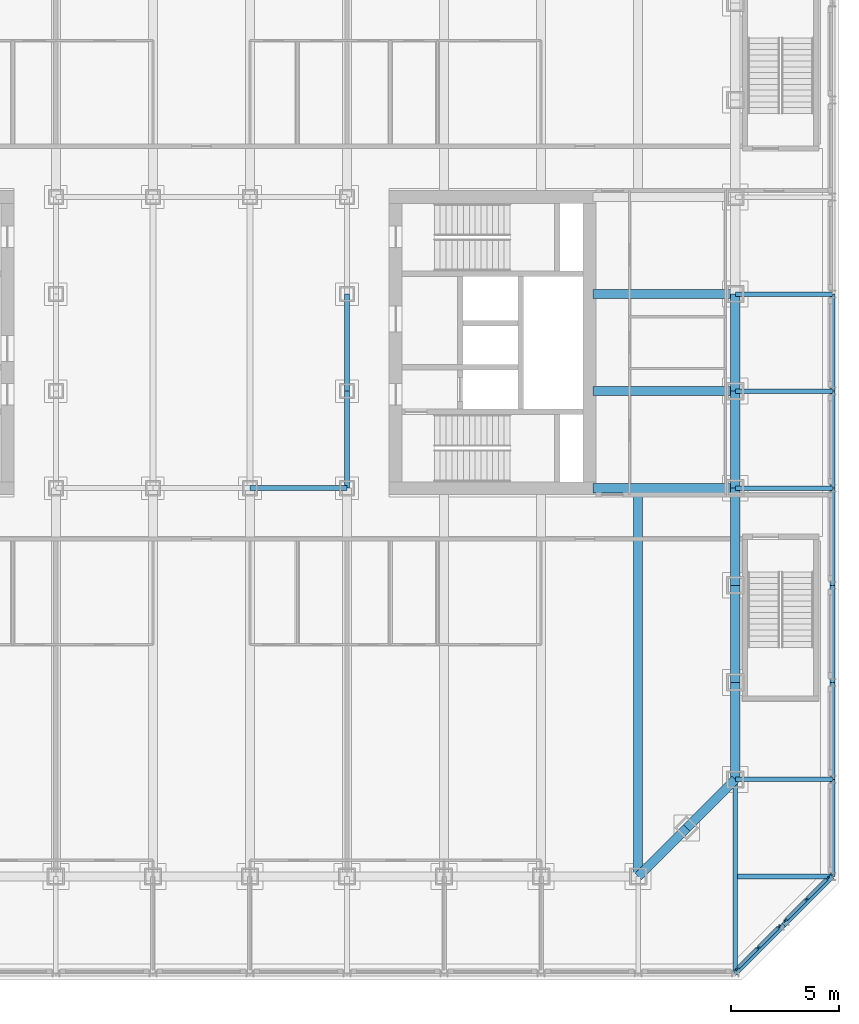
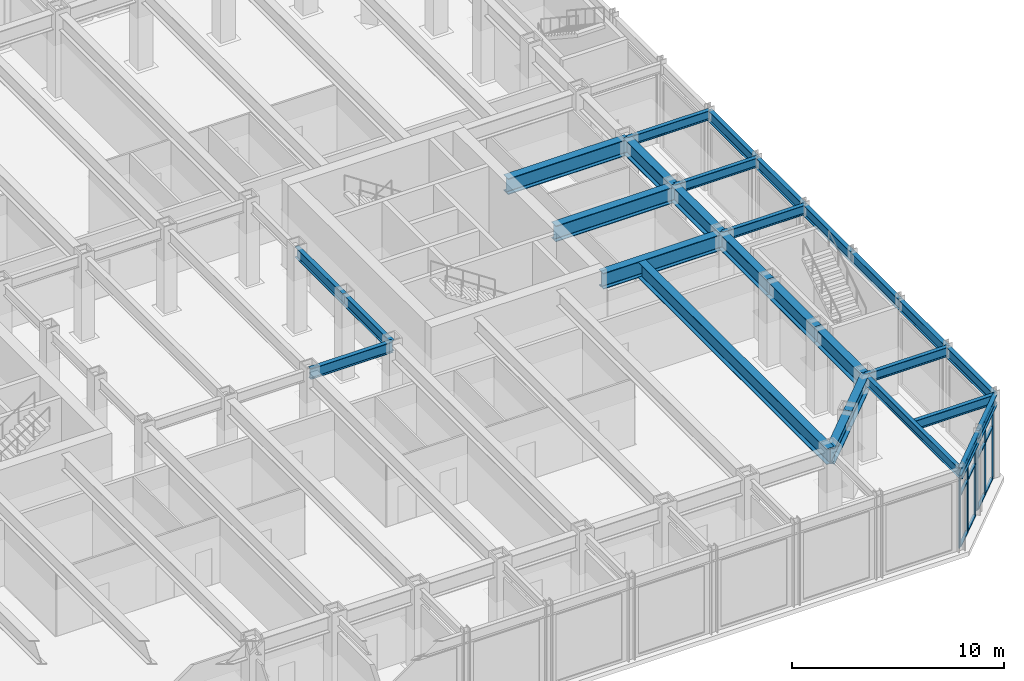
# One storey, part 6 of 19: 28 beams, 18 members, 2 elements without a shape of their own.
"""IFC4 building model written with IfcOpenShell, lengths in metres."""

from ifc_helpers import new_model, si_unit, direction, frame, origin, origin_2d, place, context, subcontext, project, spatial, rectangle, i_section, extrude, material, material_profile, profile_set, type_object, element, aggregate, save


model = new_model("IFC4")

# Units and contexts
model_context = context("Model", 3, precision=1e-05, world=origin(), true_north=direction((0.0, 1.0)))
body_context = subcontext(model_context, "Body", "Model", "MODEL_VIEW")
ifc_project = project(units=[si_unit("LENGTHUNIT", "METRE"), si_unit("AREAUNIT", "SQUARE_METRE"), si_unit("VOLUMEUNIT", "CUBIC_METRE"), si_unit("PLANEANGLEUNIT", "RADIAN"), si_unit("MASSUNIT", "GRAM", prefix="KILO")], contexts=[model_context])

# Site, building, storey
site_placement = place(None, origin())
site = spatial("IfcSite", under=ifc_project, at=site_placement, CompositionType="ELEMENT")
building_placement = place(site_placement, origin())
building = spatial("IfcBuilding", under=site, at=building_placement, Name="Msasa Ring Tower", CompositionType="ELEMENT")
storey_placement = place(building_placement, frame((0.0, 0.0, 6.0)))
storey = spatial("IfcBuildingStorey", under=building, at=storey_placement, Name="L01", CompositionType="ELEMENT", Elevation=6.0)

# Curtain wall, members
ifc_material_1 = material(Name="Aluminium curtain wall with clear glass", Category="aluminium")
curtain_wall_type = type_object("IfcCurtainWallType", Name="CW-K PODIUM CORNER CURTAIN WALL", PredefinedType="NOTDEFINED", material=ifc_material_1)
curtain_wall_1_placement = place(storey_placement, origin())
curtain_wall_1 = element("IfcCurtainWall", 1, at=curtain_wall_1_placement, inside=storey, type_object=curtain_wall_type, Name="Podium corner curtain wall SE L01", PredefinedType="NOTDEFINED")
ifc_material_2 = material(Name="Aluminium mullion", Category="aluminium")
ifc_material_profile_1 = material_profile(ifc_material_2, rectangle(XDim=0.070068359375, YDim=0.199951171875, at=origin_2d()), Name="AL 70x200")
ifc_profile_set_1 = profile_set([ifc_material_profile_1], Name="Aluminium mullion")
member_type_1 = type_object("IfcMemberType", Name="CW-K MULLION 70x200", PredefinedType="MULLION", material=ifc_profile_set_1)
member_1_placement = place(storey_placement, frame((24.836669921875, -29.02197265625, 0.0), z_axis=(0.0, 0.0, 1.0), x_axis=(-0.707106781187, 0.707106781187, 0.0)))
member_1 = element("IfcMember", 2, at=member_1_placement, type_object=member_type_1, Name="CW-K mullion 1", PredefinedType="MULLION", context=body_context, shape_type="SweptSolid", body=[
    extrude(rectangle(XDim=0.070068359375, YDim=0.199951171875, at=origin_2d()), origin(), (0.0, 0.0, 1.0), 4.1328125),
])
member_2_placement = place(storey_placement, frame((25.80419921875, -28.05419921875, 0.0), z_axis=(0.0, 0.0, 1.0), x_axis=(-0.707106781187, 0.707106781187, 0.0)))
member_2 = element("IfcMember", 3, at=member_2_placement, type_object=member_type_1, Name="CW-K mullion 2", PredefinedType="MULLION", context=body_context, shape_type="SweptSolid", body=[
    extrude(rectangle(XDim=0.070068359375, YDim=0.199951171875, at=origin_2d()), origin(), (0.0, 0.0, 1.0), 4.1328125),
])
member_3_placement = place(storey_placement, frame((26.77197265625, -27.086669921875, 0.0), z_axis=(0.0, 0.0, 1.0), x_axis=(-0.707106781187, 0.707106781187, 0.0)))
member_3 = element("IfcMember", 4, at=member_3_placement, type_object=member_type_1, Name="CW-K mullion 3", PredefinedType="MULLION", context=body_context, shape_type="SweptSolid", body=[
    extrude(rectangle(XDim=0.070068359375, YDim=0.199951171875, at=origin_2d()), origin(), (0.0, 0.0, 1.0), 4.1328125),
])

curtain_wall_2_placement = place(storey_placement, origin())
curtain_wall_2 = element("IfcCurtainWall", 5, at=curtain_wall_2_placement, inside=storey, type_object=curtain_wall_type, Name="Podium corner curtain wall SE L01", PredefinedType="NOTDEFINED")
member_4_placement = place(storey_placement, frame((27.086669921875, -26.77197265625, 0.0), z_axis=(0.0, 0.0, 1.0), x_axis=(-0.707106781187, 0.707106781187, 0.0)))
member_4 = element("IfcMember", 6, at=member_4_placement, type_object=member_type_1, Name="CW-K mullion 1", PredefinedType="MULLION", context=body_context, shape_type="SweptSolid", body=[
    extrude(rectangle(XDim=0.070068359375, YDim=0.199951171875, at=origin_2d()), origin(), (0.0, 0.0, 1.0), 4.1328125),
])
member_5_placement = place(storey_placement, frame((28.05419921875, -25.80419921875, 0.0), z_axis=(0.0, 0.0, 1.0), x_axis=(-0.707106781187, 0.707106781187, 0.0)))
member_5 = element("IfcMember", 7, at=member_5_placement, type_object=member_type_1, Name="CW-K mullion 2", PredefinedType="MULLION", context=body_context, shape_type="SweptSolid", body=[
    extrude(rectangle(XDim=0.070068359375, YDim=0.199951171875, at=origin_2d()), origin(), (0.0, 0.0, 1.0), 4.1328125),
])
member_6_placement = place(storey_placement, frame((29.02197265625, -24.836669921875, 0.0), z_axis=(0.0, 0.0, 1.0), x_axis=(-0.707106781187, 0.707106781187, 0.0)))
member_6 = element("IfcMember", 8, at=member_6_placement, type_object=member_type_1, Name="CW-K mullion 3", PredefinedType="MULLION", context=body_context, shape_type="SweptSolid", body=[
    extrude(rectangle(XDim=0.070068359375, YDim=0.199951171875, at=origin_2d()), origin(), (0.0, 0.0, 1.0), 4.1328125),
])

# Member
ifc_material_3 = material(Name="Aluminium transom", Category="aluminium")
ifc_material_profile_2 = material_profile(ifc_material_3, rectangle(XDim=0.14990234375, YDim=0.070068359375, at=origin_2d()), Name="AL 70x150")
ifc_profile_set_2 = profile_set([ifc_material_profile_2], Name="Aluminium transom")
member_type_2 = type_object("IfcMemberType", Name="CW-K TRANSOM 70x150", PredefinedType="USERDEFINED", material=ifc_profile_set_2)
member_7_placement = place(storey_placement, frame((24.861572265625, -28.9970703125, 0.034912109375), z_axis=(0.707106781187, 0.707106781187, 0.0), x_axis=(-0.707106781187, 0.707106781187, 0.0)))
member_7 = element("IfcMember", 9, at=member_7_placement, type_object=member_type_2, Name="CW-K transom 1.1", ObjectType="TRANSOM", PredefinedType="USERDEFINED", context=body_context, shape_type="SweptSolid", body=[
    extrude(rectangle(XDim=0.14990234375, YDim=0.070068359375, at=origin_2d()), origin(), (0.0, 0.0, 1.0), 1.298095703125),
])

member_8_placement = place(storey_placement, frame((24.861572265625, -28.9970703125, 3.0), z_axis=(0.707106781187, 0.707106781187, 0.0), x_axis=(-0.707106781187, 0.707106781187, 0.0)))
member_8 = element("IfcMember", 10, at=member_8_placement, type_object=member_type_2, Name="CW-K transom 1.2", ObjectType="TRANSOM", PredefinedType="USERDEFINED", context=body_context, shape_type="SweptSolid", body=[
    extrude(rectangle(XDim=0.14990234375, YDim=0.070068359375, at=origin_2d()), origin(), (0.0, 0.0, 1.0), 1.298095703125),
])

member_9_placement = place(storey_placement, frame((24.861572265625, -28.9970703125, 4.097900390625), z_axis=(0.707106781187, 0.707106781187, 0.0), x_axis=(-0.707106781187, 0.707106781187, 0.0)))
member_9 = element("IfcMember", 11, at=member_9_placement, type_object=member_type_2, Name="CW-K transom 1.3", ObjectType="TRANSOM", PredefinedType="USERDEFINED", context=body_context, shape_type="SweptSolid", body=[
    extrude(rectangle(XDim=0.14990234375, YDim=0.070068359375, at=origin_2d()), origin(), (0.0, 0.0, 1.0), 1.298095703125),
])

member_10_placement = place(storey_placement, frame((25.8291015625, -28.029541015625, 0.034912109375), z_axis=(0.707106781187, 0.707106781187, 0.0), x_axis=(-0.707106781187, 0.707106781187, 0.0)))
member_10 = element("IfcMember", 12, at=member_10_placement, type_object=member_type_2, Name="CW-K transom 2.1", ObjectType="TRANSOM", PredefinedType="USERDEFINED", context=body_context, shape_type="SweptSolid", body=[
    extrude(rectangle(XDim=0.14990234375, YDim=0.070068359375, at=origin_2d()), origin(), (0.0, 0.0, 1.0), 1.298095703125),
])

member_11_placement = place(storey_placement, frame((25.8291015625, -28.029541015625, 3.0), z_axis=(0.707106781187, 0.707106781187, 0.0), x_axis=(-0.707106781187, 0.707106781187, 0.0)))
member_11 = element("IfcMember", 13, at=member_11_placement, type_object=member_type_2, Name="CW-K transom 2.2", ObjectType="TRANSOM", PredefinedType="USERDEFINED", context=body_context, shape_type="SweptSolid", body=[
    extrude(rectangle(XDim=0.14990234375, YDim=0.070068359375, at=origin_2d()), origin(), (0.0, 0.0, 1.0), 1.298095703125),
])

member_12_placement = place(storey_placement, frame((25.8291015625, -28.029541015625, 4.097900390625), z_axis=(0.707106781187, 0.707106781187, 0.0), x_axis=(-0.707106781187, 0.707106781187, 0.0)))
member_12 = element("IfcMember", 14, at=member_12_placement, type_object=member_type_2, Name="CW-K transom 2.3", ObjectType="TRANSOM", PredefinedType="USERDEFINED", context=body_context, shape_type="SweptSolid", body=[
    extrude(rectangle(XDim=0.14990234375, YDim=0.070068359375, at=origin_2d()), origin(), (0.0, 0.0, 1.0), 1.298095703125),
])

aggregate(curtain_wall_1, [member_1, member_2, member_3, member_7, member_8, member_9, member_10, member_11, member_12])

member_13_placement = place(storey_placement, frame((27.111572265625, -26.7470703125, 0.034912109375), z_axis=(0.707106781187, 0.707106781187, 0.0), x_axis=(-0.707106781187, 0.707106781187, 0.0)))
member_13 = element("IfcMember", 15, at=member_13_placement, type_object=member_type_2, Name="CW-K transom 1.1", ObjectType="TRANSOM", PredefinedType="USERDEFINED", context=body_context, shape_type="SweptSolid", body=[
    extrude(rectangle(XDim=0.14990234375, YDim=0.070068359375, at=origin_2d()), origin(), (0.0, 0.0, 1.0), 1.298095703125),
])

member_14_placement = place(storey_placement, frame((27.111572265625, -26.7470703125, 3.0), z_axis=(0.707106781187, 0.707106781187, 0.0), x_axis=(-0.707106781187, 0.707106781187, 0.0)))
member_14 = element("IfcMember", 16, at=member_14_placement, type_object=member_type_2, Name="CW-K transom 1.2", ObjectType="TRANSOM", PredefinedType="USERDEFINED", context=body_context, shape_type="SweptSolid", body=[
    extrude(rectangle(XDim=0.14990234375, YDim=0.070068359375, at=origin_2d()), origin(), (0.0, 0.0, 1.0), 1.298095703125),
])

member_15_placement = place(storey_placement, frame((27.111572265625, -26.7470703125, 4.097900390625), z_axis=(0.707106781187, 0.707106781187, 0.0), x_axis=(-0.707106781187, 0.707106781187, 0.0)))
member_15 = element("IfcMember", 17, at=member_15_placement, type_object=member_type_2, Name="CW-K transom 1.3", ObjectType="TRANSOM", PredefinedType="USERDEFINED", context=body_context, shape_type="SweptSolid", body=[
    extrude(rectangle(XDim=0.14990234375, YDim=0.070068359375, at=origin_2d()), origin(), (0.0, 0.0, 1.0), 1.298095703125),
])

member_16_placement = place(storey_placement, frame((28.0791015625, -25.779541015625, 0.034912109375), z_axis=(0.707106781187, 0.707106781187, 0.0), x_axis=(-0.707106781187, 0.707106781187, 0.0)))
member_16 = element("IfcMember", 18, at=member_16_placement, type_object=member_type_2, Name="CW-K transom 2.1", ObjectType="TRANSOM", PredefinedType="USERDEFINED", context=body_context, shape_type="SweptSolid", body=[
    extrude(rectangle(XDim=0.14990234375, YDim=0.070068359375, at=origin_2d()), origin(), (0.0, 0.0, 1.0), 1.298095703125),
])

member_17_placement = place(storey_placement, frame((28.0791015625, -25.779541015625, 3.0), z_axis=(0.707106781187, 0.707106781187, 0.0), x_axis=(-0.707106781187, 0.707106781187, 0.0)))
member_17 = element("IfcMember", 19, at=member_17_placement, type_object=member_type_2, Name="CW-K transom 2.2", ObjectType="TRANSOM", PredefinedType="USERDEFINED", context=body_context, shape_type="SweptSolid", body=[
    extrude(rectangle(XDim=0.14990234375, YDim=0.070068359375, at=origin_2d()), origin(), (0.0, 0.0, 1.0), 1.298095703125),
])

member_18_placement = place(storey_placement, frame((28.0791015625, -25.779541015625, 4.097900390625), z_axis=(0.707106781187, 0.707106781187, 0.0), x_axis=(-0.707106781187, 0.707106781187, 0.0)))
member_18 = element("IfcMember", 20, at=member_18_placement, type_object=member_type_2, Name="CW-K transom 2.3", ObjectType="TRANSOM", PredefinedType="USERDEFINED", context=body_context, shape_type="SweptSolid", body=[
    extrude(rectangle(XDim=0.14990234375, YDim=0.070068359375, at=origin_2d()), origin(), (0.0, 0.0, 1.0), 1.298095703125),
])

aggregate(curtain_wall_2, [member_4, member_5, member_6, member_13, member_14, member_15, member_16, member_17, member_18])

# Beams
ifc_material_4 = material(Name="Steel S355", Category="steel")
ifc_material_profile_3 = material_profile(ifc_material_4, i_section(OverallWidth=0.41845703125, OverallDepth=0.911865234375, WebThickness=0.019287109375, FlangeThickness=0.031982421875, FilletRadius=0.024169921875, at=origin_2d()), Name="UB 914x419x343")
ifc_profile_set_3 = profile_set([ifc_material_profile_3], Name="Steel S355")
beam_type_1 = type_object("IfcBeamType", Name="FB1 UB 914x419x343", PredefinedType="BEAM", material=ifc_profile_set_3)
beam_1_placement = place(storey_placement, frame((20.25, -24.75, 4.294189453125), z_axis=(0.0, 1.0, 0.0), x_axis=(-1.0, 0.0, 0.0)))
element("IfcBeam", 21, at=beam_1_placement, inside=storey, type_object=beam_type_1, Name="Floor beam S+20.25 under L02", PredefinedType="BEAM", context=body_context, shape_type="SweptSolid", body=[
    extrude(i_section(OverallWidth=0.41845703125, OverallDepth=0.911865234375, WebThickness=0.019287109375, FlangeThickness=0.031982421875, FilletRadius=0.024169921875, at=origin_2d()), origin(), (0.0, 0.0, 1.0), 17.789794921875),
])
ifc_material_5 = material(Name="Steel S355", Category="steel")
ifc_material_profile_4 = material_profile(ifc_material_5, i_section(OverallWidth=0.42041015625, OverallDepth=0.9208984375, WebThickness=0.021484375, FlangeThickness=0.03662109375, FilletRadius=0.024169921875, at=origin_2d()), Name="UB 914x419x388")
ifc_profile_set_4 = profile_set([ifc_material_profile_4], Name="Steel S355")
beam_type_2 = type_object("IfcBeamType", Name="FB2 UB 914x419x388", PredefinedType="BEAM", material=ifc_profile_set_4)
for number, where, z_axis, x_axis, name in (
    (22, (24.75, -2.25, 4.28955078125), (-1.0, 0.0, 0.0), (0.0, -1.0, 0.0), "Floor beam E -2.25 under L02"),
    (23, (24.75, 2.25, 4.28955078125), (-1.0, 0.0, 0.0), (0.0, -1.0, 0.0), "Floor beam E +2.25 under L02"),
):
    element("IfcBeam", number, at=place(storey_placement, frame(where, z_axis=z_axis, x_axis=x_axis)), inside=storey, type_object=beam_type_2, Name=name, PredefinedType="BEAM", context=body_context, shape_type="SweptSolid", body=[
        extrude(i_section(OverallWidth=0.42041015625, OverallDepth=0.9208984375, WebThickness=0.021484375, FlangeThickness=0.03662109375, FilletRadius=0.024169921875, at=origin_2d()), origin(), (0.0, 0.0, 1.0), 6.60009765625),
    ])
ifc_material_6 = material(Name="Steel S355", Category="steel")
ifc_material_profile_5 = material_profile(ifc_material_6, i_section(OverallWidth=0.42041015625, OverallDepth=0.9208984375, WebThickness=0.021484375, FlangeThickness=0.03662109375, FilletRadius=0.024169921875, at=origin_2d()), Name="UB 914x419x388")
ifc_profile_set_5 = profile_set([ifc_material_profile_5], Name="Steel S355")
beam_type_3 = type_object("IfcBeamType", Name="GB1 UB 914x419x388", PredefinedType="BEAM", material=ifc_profile_set_5)
beam_2_placement = place(storey_placement, frame((18.14990234375, -6.75, 4.28955078125), z_axis=(1.0, 0.0, 0.0), x_axis=(0.0, 1.0, 0.0)))
element("IfcBeam", 24, at=beam_2_placement, inside=storey, type_object=beam_type_3, Name="Girder E -6.75 under L02", PredefinedType="BEAM", context=body_context, shape_type="SweptSolid", body=[
    extrude(i_section(OverallWidth=0.42041015625, OverallDepth=0.9208984375, WebThickness=0.021484375, FlangeThickness=0.03662109375, FilletRadius=0.024169921875, at=origin_2d()), origin(), (0.0, 0.0, 1.0), 6.60009765625),
])
ifc_material_7 = material(Name="Steel S355", Category="steel")
ifc_material_profile_6 = material_profile(ifc_material_7, i_section(OverallWidth=0.2119140625, OverallDepth=0.54443359375, WebThickness=0.0126953125, FlangeThickness=0.021240234375, FilletRadius=0.0126953125, at=origin_2d()), Name="UB 533x210x122")
ifc_profile_set_6 = profile_set([ifc_material_profile_6], Name="Steel S355")
beam_type_4 = type_object("IfcBeamType", Name="PB1 UB 533x210x122", PredefinedType="BEAM", material=ifc_profile_set_6)
beam_3_placement = place(storey_placement, frame((29.25, -24.75, 4.477783203125), z_axis=(-1.0, 0.0, 0.0), x_axis=(0.0, -1.0, 0.0)))
element("IfcBeam", 25, at=beam_3_placement, inside=storey, type_object=beam_type_4, Name="Podium beam E-24.75 under L02", PredefinedType="BEAM", context=body_context, shape_type="SweptSolid", body=[
    extrude(i_section(OverallWidth=0.2119140625, OverallDepth=0.54443359375, WebThickness=0.0126953125, FlangeThickness=0.021240234375, FilletRadius=0.0126953125, at=origin_2d()), origin(), (0.0, 0.0, 1.0), 4.39404296875),
])
for number, where, z_axis, x_axis, name in (
    (26, (29.25, -20.25, 4.477783203125), (-1.0, 0.0, 0.0), (0.0, -1.0, 0.0), "Podium beam E-20.25 under L02"),
    (27, (29.25, -6.75, 4.477783203125), (-1.0, 0.0, 0.0), (0.0, -1.0, 0.0), "Podium beam E-6.75 under L02"),
    (28, (29.25, -2.25, 4.477783203125), (-1.0, 0.0, 0.0), (0.0, -1.0, 0.0), "Podium beam E-2.25 under L02"),
    (29, (29.25, 2.25, 4.477783203125), (-1.0, 0.0, 0.0), (0.0, -1.0, 0.0), "Podium beam E+2.25 under L02"),
):
    element("IfcBeam", number, at=place(storey_placement, frame(where, z_axis=z_axis, x_axis=x_axis)), inside=storey, type_object=beam_type_4, Name=name, PredefinedType="BEAM", context=body_context, shape_type="SweptSolid", body=[
        extrude(i_section(OverallWidth=0.2119140625, OverallDepth=0.54443359375, WebThickness=0.0126953125, FlangeThickness=0.021240234375, FilletRadius=0.0126953125, at=origin_2d()), origin(), (0.0, 0.0, 1.0), 4.5),
    ])
beam_4_placement = place(storey_placement, frame((24.75, -29.25, 4.477783203125), z_axis=(0.0, 1.0, 0.0), x_axis=(-1.0, 0.0, 0.0)))
element("IfcBeam", 30, at=beam_4_placement, inside=storey, type_object=beam_type_4, Name="Podium beam S+24.75 under L02", PredefinedType="BEAM", context=body_context, shape_type="SweptSolid", body=[
    extrude(i_section(OverallWidth=0.2119140625, OverallDepth=0.54443359375, WebThickness=0.0126953125, FlangeThickness=0.021240234375, FilletRadius=0.0126953125, at=origin_2d()), origin(), (0.0, 0.0, 1.0), 9.0),
])
ifc_material_8 = material(Name="Steel S355", Category="steel")
ifc_material_profile_7 = material_profile(ifc_material_8, i_section(OverallWidth=0.230224609375, OverallDepth=0.6171875, WebThickness=0.01318359375, FlangeThickness=0.022216796875, FilletRadius=0.0126953125, at=origin_2d()), Name="UB 610x229x140")
ifc_profile_set_7 = profile_set([ifc_material_profile_7], Name="Steel S355")
beam_type_5 = type_object("IfcBeamType", Name="RB1 UB 610x229x140", PredefinedType="BEAM", material=ifc_profile_set_7)
for number, where, z_axis, x_axis, name in (
    (31, (2.25, -6.75, 4.44140625), (1.0, 0.0, 0.0), (0.0, 1.0, 0.0), "Inner ring beam IR+2.25-6.75 under L02"),
    (32, (6.75, -6.75, 4.44140625), (0.0, 1.0, 0.0), (-1.0, 0.0, 0.0), "Inner ring beam IR+6.75-6.75 under L02"),
    (33, (6.75, -2.25, 4.44140625), (0.0, 1.0, 0.0), (-1.0, 0.0, 0.0), "Inner ring beam IR+6.75-2.25 under L02"),
):
    element("IfcBeam", number, at=place(storey_placement, frame(where, z_axis=z_axis, x_axis=x_axis)), inside=storey, type_object=beam_type_5, Name=name, PredefinedType="BEAM", context=body_context, shape_type="SweptSolid", body=[
        extrude(i_section(OverallWidth=0.230224609375, OverallDepth=0.6171875, WebThickness=0.01318359375, FlangeThickness=0.022216796875, FilletRadius=0.0126953125, at=origin_2d()), origin(), (0.0, 0.0, 1.0), 4.5),
    ])
ifc_material_9 = material(Name="Steel S355", Category="steel")
ifc_material_profile_8 = material_profile(ifc_material_9, i_section(OverallWidth=0.42041015625, OverallDepth=0.9208984375, WebThickness=0.021484375, FlangeThickness=0.03662109375, FilletRadius=0.024169921875, at=origin_2d()), Name="UB 914x419x388")
ifc_profile_set_8 = profile_set([ifc_material_profile_8], Name="Steel S355")
beam_type_6 = type_object("IfcBeamType", Name="SB1 UB 914x419x388", PredefinedType="SPANDREL", material=ifc_profile_set_8)
for number, where, z_axis, x_axis, name in (
    (34, (20.25, -24.75, 4.28955078125), (0.707106781187, 0.707106781187, 0.0), (-0.707106781187, 0.707106781187, 0.0), "Spandrel S+20.25 to SE under L02"),
    (35, (22.5, -22.5, 4.28955078125), (0.707106781187, 0.707106781187, 0.0), (-0.707106781187, 0.707106781187, 0.0), "Spandrel SE to E-20.25 under L02"),
):
    element("IfcBeam", number, at=place(storey_placement, frame(where, z_axis=z_axis, x_axis=x_axis)), inside=storey, type_object=beam_type_6, Name=name, PredefinedType="SPANDREL", context=body_context, shape_type="SweptSolid", body=[
        extrude(i_section(OverallWidth=0.42041015625, OverallDepth=0.9208984375, WebThickness=0.021484375, FlangeThickness=0.03662109375, FilletRadius=0.024169921875, at=origin_2d()), origin(), (0.0, 0.0, 1.0), 3.181884765625),
    ])
for number, where, z_axis, x_axis, name in (
    (36, (24.75, -20.25, 4.28955078125), (0.0, 1.0, 0.0), (-1.0, 0.0, 0.0), "Spandrel E-20.25 to E-15.75 under L02"),
    (37, (24.75, -15.75, 4.28955078125), (0.0, 1.0, 0.0), (-1.0, 0.0, 0.0), "Spandrel E-15.75 to E-11.25 under L02"),
    (38, (24.75, -11.25, 4.28955078125), (0.0, 1.0, 0.0), (-1.0, 0.0, 0.0), "Spandrel E-11.25 to E-6.75 under L02"),
    (39, (24.75, -6.75, 4.28955078125), (0.0, 1.0, 0.0), (-1.0, 0.0, 0.0), "Spandrel E-6.75 to E-2.25 under L02"),
    (40, (24.75, -2.25, 4.28955078125), (0.0, 1.0, 0.0), (-1.0, 0.0, 0.0), "Spandrel E-2.25 to E+2.25 under L02"),
):
    element("IfcBeam", number, at=place(storey_placement, frame(where, z_axis=z_axis, x_axis=x_axis)), inside=storey, type_object=beam_type_6, Name=name, PredefinedType="SPANDREL", context=body_context, shape_type="SweptSolid", body=[
        extrude(i_section(OverallWidth=0.42041015625, OverallDepth=0.9208984375, WebThickness=0.021484375, FlangeThickness=0.03662109375, FilletRadius=0.024169921875, at=origin_2d()), origin(), (0.0, 0.0, 1.0), 4.5),
    ])
ifc_material_10 = material(Name="Steel S355", Category="steel")
ifc_material_profile_9 = material_profile(ifc_material_10, i_section(OverallWidth=0.230224609375, OverallDepth=0.6171875, WebThickness=0.01318359375, FlangeThickness=0.022216796875, FilletRadius=0.0126953125, at=origin_2d()), Name="UB 610x229x140")
ifc_profile_set_9 = profile_set([ifc_material_profile_9], Name="Steel S355")
beam_type_7 = type_object("IfcBeamType", Name="SB2 UB 610x229x140", PredefinedType="SPANDREL", material=ifc_profile_set_9)
for number, where, z_axis, x_axis, name in (
    (41, (24.75, -29.25, 4.44140625), (0.707106781187, 0.707106781187, 0.0), (-0.707106781187, 0.707106781187, 0.0), "Podium spandrel S+24.75 under L02"),
    (42, (27.0, -27.0, 4.44140625), (0.707106781187, 0.707106781187, 0.0), (-0.707106781187, 0.707106781187, 0.0), "Podium spandrel SE under L02"),
):
    element("IfcBeam", number, at=place(storey_placement, frame(where, z_axis=z_axis, x_axis=x_axis)), inside=storey, type_object=beam_type_7, Name=name, PredefinedType="SPANDREL", context=body_context, shape_type="SweptSolid", body=[
        extrude(i_section(OverallWidth=0.230224609375, OverallDepth=0.6171875, WebThickness=0.01318359375, FlangeThickness=0.022216796875, FilletRadius=0.0126953125, at=origin_2d()), origin(), (0.0, 0.0, 1.0), 3.181884765625),
    ])
for number, where, z_axis, x_axis, name in (
    (43, (29.25, -24.75, 4.44140625), (0.0, 1.0, 0.0), (-1.0, 0.0, 0.0), "Podium spandrel E-24.75 under L02"),
    (44, (29.25, -20.25, 4.44140625), (0.0, 1.0, 0.0), (-1.0, 0.0, 0.0), "Podium spandrel E-20.25 under L02"),
    (45, (29.25, -15.75, 4.44140625), (0.0, 1.0, 0.0), (-1.0, 0.0, 0.0), "Podium spandrel E-15.75 under L02"),
    (46, (29.25, -11.25, 4.44140625), (0.0, 1.0, 0.0), (-1.0, 0.0, 0.0), "Podium spandrel E-11.25 under L02"),
    (47, (29.25, -6.75, 4.44140625), (0.0, 1.0, 0.0), (-1.0, 0.0, 0.0), "Podium spandrel E-6.75 under L02"),
    (48, (29.25, -2.25, 4.44140625), (0.0, 1.0, 0.0), (-1.0, 0.0, 0.0), "Podium spandrel E-2.25 under L02"),
):
    element("IfcBeam", number, at=place(storey_placement, frame(where, z_axis=z_axis, x_axis=x_axis)), inside=storey, type_object=beam_type_7, Name=name, PredefinedType="SPANDREL", context=body_context, shape_type="SweptSolid", body=[
        extrude(i_section(OverallWidth=0.230224609375, OverallDepth=0.6171875, WebThickness=0.01318359375, FlangeThickness=0.022216796875, FilletRadius=0.0126953125, at=origin_2d()), origin(), (0.0, 0.0, 1.0), 4.5),
    ])

save(model, "model.ifc")
